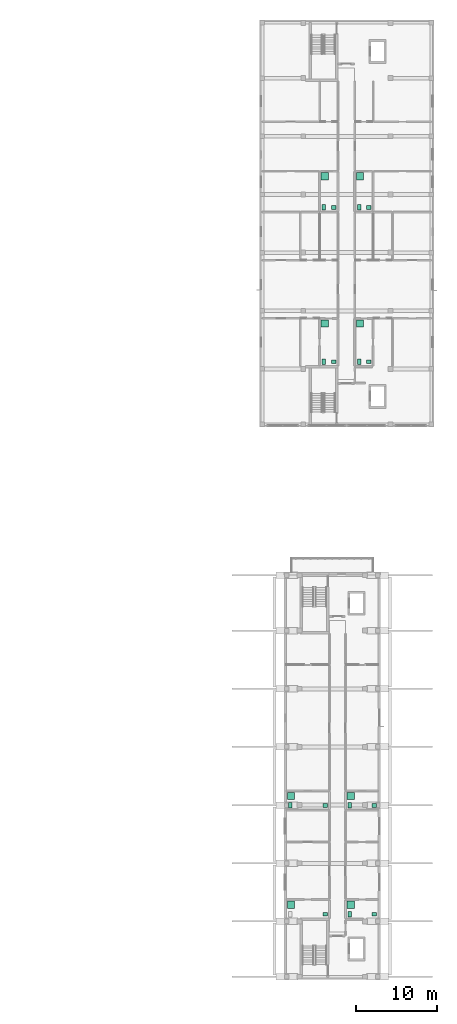
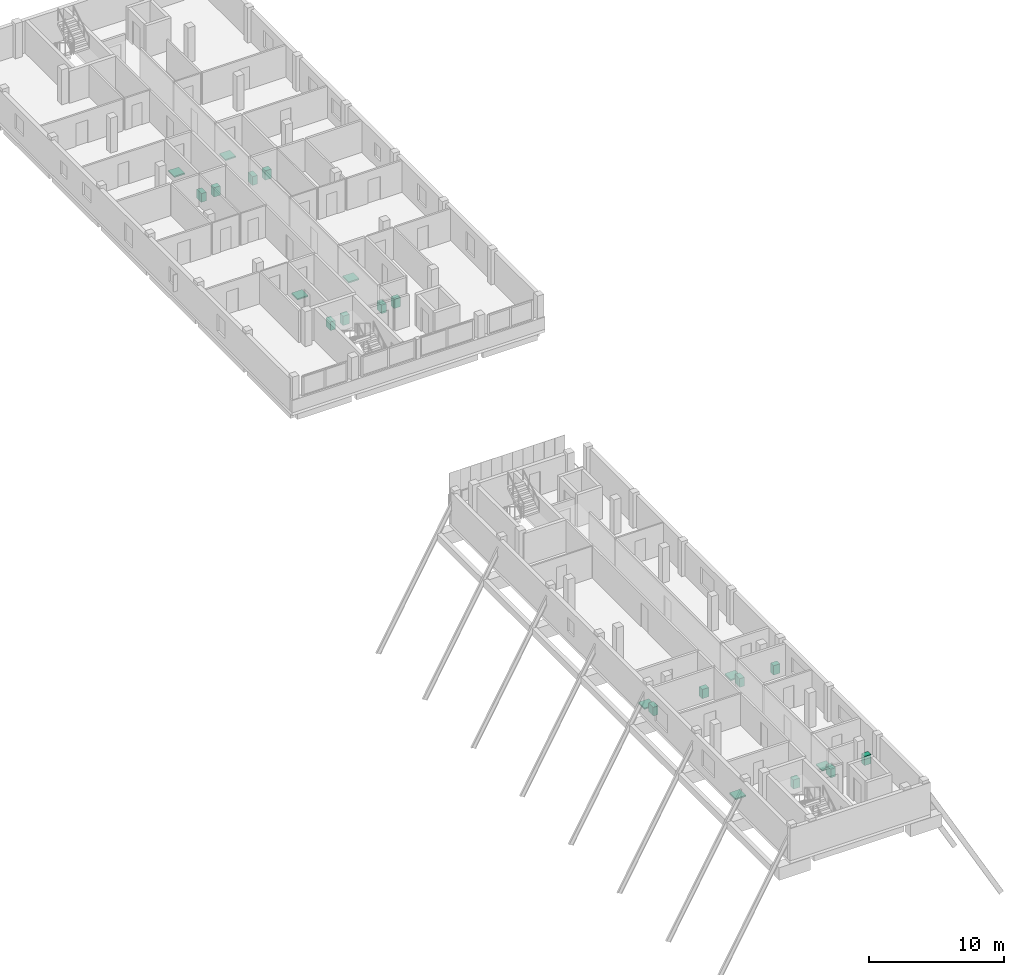
# One storey, part 34 of 34: 23 sanitary terminals.
"""IFC4 building model written with IfcOpenShell, lengths in metres."""

from ifc_helpers import new_model, si_unit, derived_unit, direction, frame, origin, origin_2d, place, context, subcontext, project, spatial, rectangle, extrude, material, type_object, element, save


model = new_model("IFC4")

# Units and contexts
model_context = context("Model", 3, precision=1e-05, world=origin(), true_north=direction((0.0, 1.0)))
body_context = subcontext(model_context, "Body", "Model", "MODEL_VIEW")
ifc_project = project(units=[si_unit("LENGTHUNIT", "METRE"), si_unit("AREAUNIT", "SQUARE_METRE"), si_unit("VOLUMEUNIT", "CUBIC_METRE"), si_unit("PLANEANGLEUNIT", "RADIAN"), si_unit("MASSUNIT", "GRAM", prefix="KILO"), derived_unit("THERMALTRANSMITTANCEUNIT", [(si_unit("MASSUNIT", "GRAM", prefix="KILO"), 1), (si_unit("TIMEUNIT", "SECOND"), -3), (si_unit("THERMODYNAMICTEMPERATUREUNIT", "KELVIN"), -1)])], contexts=[model_context])

# Site, building, storey
site_placement = place(None, origin())
site = spatial("IfcSite", under=ifc_project, at=site_placement, CompositionType="ELEMENT")
building_placement = place(site_placement, origin())
building = spatial("IfcBuilding", under=site, at=building_placement, Name="Ochrekiln Boulevard Commons", CompositionType="ELEMENT")
storey_placement = place(building_placement, frame((0.0, 0.0, 27.824951171875)))
storey = spatial("IfcBuildingStorey", under=building, at=storey_placement, Name="L08", CompositionType="ELEMENT", Elevation=27.824951171875)

# Sanitary terminals
ifc_material = material(Name="Vitreous china sanitaryware")
sanitary_terminal_type_1 = type_object("IfcSanitaryTerminalType", Name="SAN-BAS", PredefinedType="WASHHANDBASIN", material=ifc_material)
for number, where, z_axis, x_axis, name in (
    (1, (160.3701171875, 76.5, 0.0), (0.0, 0.0, 1.0), (1.0, 0.0, 0.0), "L08 Washhand Basin Fixture"),
    (2, (160.3701171875, 95.597900390625, 0.0), (0.0, 0.0, 1.0), (1.0, 0.0, 0.0), "L08 Washhand Basin Fixture"),
    (3, (164.72998046875, 76.5, 0.0), (0.0, 0.0, 1.0), (1.0, 0.0, 0.0), "L08 Washhand Basin Fixture"),
    (4, (164.72998046875, 95.597900390625, 0.0), (0.0, 0.0, 1.0), (1.0, 0.0, 0.0), "L08 Washhand Basin Fixture"),
    (5, (159.320068359375, 8.10009765625, 0.0), (0.0, 0.0, 1.0), (1.0, 0.0, 0.0), "L08 Washhand Basin Fixture"),
    (6, (159.320068359375, 21.56591796875, 0.0), (0.0, 0.0, 1.0), (1.0, 0.0, 0.0), "L08 Washhand Basin Fixture"),
    (7, (165.39990234375, 8.10009765625, 0.0), (0.0, 0.0, 1.0), (1.0, 0.0, 0.0), "L08 Washhand Basin Fixture"),
    (8, (165.39990234375, 21.56591796875, 0.0), (0.0, 0.0, 1.0), (1.0, 0.0, 0.0), "L08 Washhand Basin Fixture"),
):
    element("IfcSanitaryTerminal", number, at=place(storey_placement, frame(where, z_axis=z_axis, x_axis=x_axis)), inside=storey, type_object=sanitary_terminal_type_1, Name=name, PredefinedType="WASHHANDBASIN", context=body_context, shape_type="SweptSolid", body=[
        extrude(rectangle(XDim=0.550048828125, YDim=0.4599609375, at=origin_2d()), origin(), (0.0, 0.0, 1.0), 0.840087890625),
    ])
sanitary_terminal_type_2 = type_object("IfcSanitaryTerminalType", Name="SAN-SHW", PredefinedType="SHOWER", material=ifc_material)
for number, where, z_axis, x_axis, name in (
    (9, (159.27001953125, 81.235107421875, 0.0), (0.0, 0.0, 1.0), (1.0, 0.0, 0.0), "L08 Shower Receptor"),
    (10, (159.27001953125, 99.4599609375, 0.0), (0.0, 0.0, 1.0), (1.0, 0.0, 0.0), "L08 Shower Receptor"),
    (11, (163.6298828125, 81.235107421875, 0.0), (0.0, 0.0, 1.0), (1.0, 0.0, 0.0), "L08 Shower Receptor"),
    (12, (163.6298828125, 99.4599609375, 0.0), (0.0, 0.0, 1.0), (1.0, 0.0, 0.0), "L08 Shower Receptor"),
    (13, (155.10009765625, 9.27001953125, 0.0), (0.0, 0.0, 1.0), (1.0, 0.0, 0.0), "L08 Shower Receptor"),
    (14, (155.10009765625, 22.736083984375, 0.0), (0.0, 0.0, 1.0), (1.0, 0.0, 0.0), "L08 Shower Receptor"),
    (15, (162.47998046875, 9.27001953125, 0.0), (0.0, 0.0, 1.0), (1.0, 0.0, 0.0), "L08 Shower Receptor"),
    (16, (162.47998046875, 22.736083984375, 0.0), (0.0, 0.0, 1.0), (1.0, 0.0, 0.0), "L08 Shower Receptor"),
):
    element("IfcSanitaryTerminal", number, at=place(storey_placement, frame(where, z_axis=z_axis, x_axis=x_axis)), inside=storey, type_object=sanitary_terminal_type_2, Name=name, PredefinedType="SHOWER", context=body_context, shape_type="SweptSolid", body=[
        extrude(rectangle(XDim=0.89990234375, YDim=0.89990234375, at=origin_2d()), origin(), (0.0, 0.0, 1.0), 0.1201171875),
    ])
sanitary_terminal_type_3 = type_object("IfcSanitaryTerminalType", Name="SAN-WC", PredefinedType="TOILETPAN", material=ifc_material)
for number, where, z_axis, x_axis, name in (
    (17, (159.169921875, 76.5, 0.0), (0.0, 0.0, 1.0), (1.0, 0.0, 0.0), "L08 Water Closet Fixture"),
    (18, (159.169921875, 95.597900390625, 0.0), (0.0, 0.0, 1.0), (1.0, 0.0, 0.0), "L08 Water Closet Fixture"),
    (19, (163.530029296875, 76.5, 0.0), (0.0, 0.0, 1.0), (1.0, 0.0, 0.0), "L08 Water Closet Fixture"),
    (20, (163.530029296875, 95.597900390625, 0.0), (0.0, 0.0, 1.0), (1.0, 0.0, 0.0), "L08 Water Closet Fixture"),
    (21, (155.0, 21.56591796875, 0.0), (0.0, 0.0, 1.0), (1.0, 0.0, 0.0), "L08 Water Closet Fixture"),
    (22, (162.3798828125, 8.10009765625, 0.0), (0.0, 0.0, 1.0), (1.0, 0.0, 0.0), "L08 Water Closet Fixture"),
    (23, (162.3798828125, 21.56591796875, 0.0), (0.0, 0.0, 1.0), (1.0, 0.0, 0.0), "L08 Water Closet Fixture"),
):
    element("IfcSanitaryTerminal", number, at=place(storey_placement, frame(where, z_axis=z_axis, x_axis=x_axis)), inside=storey, type_object=sanitary_terminal_type_3, Name=name, PredefinedType="TOILETPAN", context=body_context, shape_type="SweptSolid", body=[
        extrude(rectangle(XDim=0.419921875, YDim=0.679931640625, at=origin_2d()), origin(), (0.0, 0.0, 1.0), 0.780029296875),
    ])

save(model, "model.ifc")
